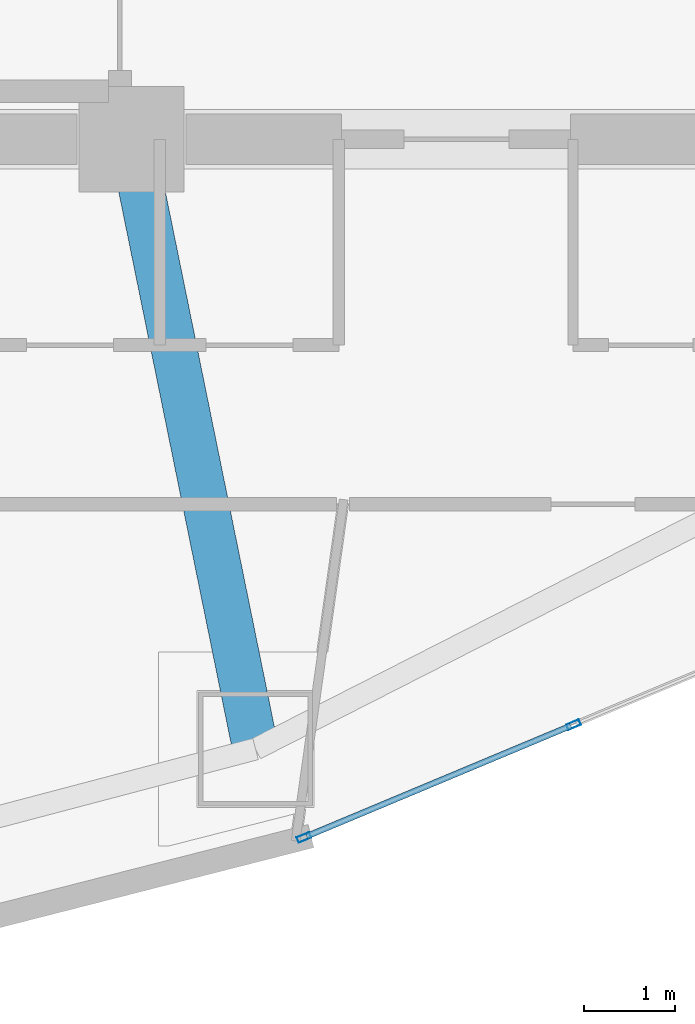
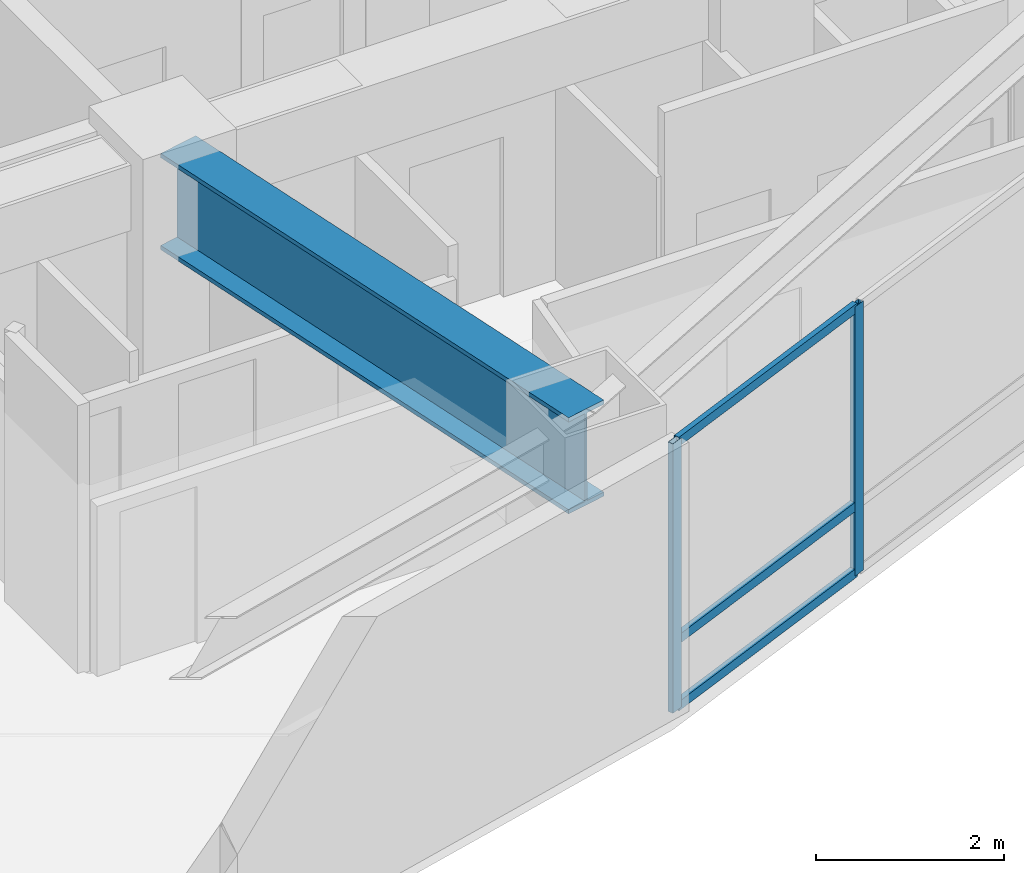
# One storey, part 2 of 17: 5 members, 1 beam, 1 element without a shape of its own.
"""IFC4 building model written with IfcOpenShell, lengths in metres."""

from ifc_helpers import new_model, si_unit, direction, frame, origin, origin_2d, place, context, subcontext, project, spatial, hollow_rectangle, i_section, extrude, material, layer, layer_set, material_profile, profile_set, type_object, element, aggregate, save


model = new_model("IFC4")

# Units and contexts
model_context = context("Model", 3, precision=1e-05, world=origin(), true_north=direction((0.0, 1.0)))
body_context = subcontext(model_context, "Body", "Model", "MODEL_VIEW")
ifc_project = project(units=[si_unit("LENGTHUNIT", "METRE"), si_unit("AREAUNIT", "SQUARE_METRE"), si_unit("VOLUMEUNIT", "CUBIC_METRE"), si_unit("PLANEANGLEUNIT", "RADIAN"), si_unit("MASSUNIT", "GRAM", prefix="KILO")], contexts=[model_context])

# Site, building, storey
site_placement = place(None, origin())
site = spatial("IfcSite", under=ifc_project, at=site_placement, CompositionType="ELEMENT")
building_placement = place(site_placement, origin())
building = spatial("IfcBuilding", under=site, at=building_placement, Name="Menara Vayukalpa", CompositionType="ELEMENT")
storey_placement = place(building_placement, frame((0.0, 0.0, 133.739990234375)))
storey = spatial("IfcBuildingStorey", under=building, at=storey_placement, Name="L33", CompositionType="ELEMENT", Elevation=133.739990234375)

# Beam
ifc_material_1 = material(Name="Steel S460", Category="steel")
ifc_material_profile_1 = material_profile(ifc_material_1, i_section(OverallWidth=0.5, OverallDepth=1.25, WebThickness=0.028076171875, FlangeThickness=0.054931640625, at=origin_2d()), Name="WG 1250x500x28x55")
ifc_profile_set_1 = profile_set([ifc_material_profile_1], Name="Steel S460")
beam_type = type_object("IfcBeamType", Name="BM-TG2", PredefinedType="BEAM", material=ifc_profile_set_1)
beam_placement = place(storey_placement, frame((22.099853515625, 16.955078125, 2.875), z_axis=(0.199617728418, -0.9798738503, 0.0), x_axis=(0.9798738503, 0.199617728418, 0.0)))
element("IfcBeam", 1, at=beam_placement, inside=storey, type_object=beam_type, Name="L33 Primary Radial Girder RG08", PredefinedType="BEAM", context=body_context, shape_type="SweptSolid", body=[
    extrude(i_section(OverallWidth=0.5, OverallDepth=1.25, WebThickness=0.028076171875, FlangeThickness=0.054931640625, at=origin_2d()), origin(), (0.0, 0.0, 1.0), 6.55419921875),
])

# Curtain wall, members
ifc_material_2 = material(Name="Anodised Terracotta Aluminium Alloy 6063-T6", Category="masonry")
ifc_layer = layer(ifc_material_2, 0.14990234375)
ifc_layer_set = layer_set([ifc_layer], Name="Anodised Terracotta Aluminium Alloy 6063-T6")
curtain_wall_type = type_object("IfcCurtainWallType", Name="CW-CW3", PredefinedType="USERDEFINED", material=ifc_layer_set)
curtain_wall_placement = place(storey_placement, origin())
curtain_wall = element("IfcCurtainWall", 2, at=curtain_wall_placement, inside=storey, type_object=curtain_wall_type, Name="L33 Mid Rise Terracotta Ribbon Curtain Wall CW3 16", ObjectType="UNITISED", PredefinedType="USERDEFINED")
ifc_material_3 = material(Name="Anodised Terracotta Aluminium Alloy 6063-T6", Category="masonry")
ifc_material_profile_2 = material_profile(ifc_material_3, hollow_rectangle(XDim=0.06494140625, YDim=0.14990234375, WallThickness=0.00341796875, at=origin_2d()), Name="ALU 65x150x3.5")
ifc_profile_set_2 = profile_set([ifc_material_profile_2], Name="Anodised Terracotta Aluminium Alloy 6063-T6")
member_type_1 = type_object("IfcMemberType", Name="CWM-CW3", PredefinedType="MULLION", material=ifc_profile_set_2)
member_1_placement = place(storey_placement, frame((23.9375, 9.56494140625, 0.0), z_axis=(0.0, 0.0, 1.0), x_axis=(-0.38589358437, 0.922543300632, 0.0)))
member_1 = element("IfcMember", 3, at=member_1_placement, type_object=member_type_1, Name="CW3 mullion 1", PredefinedType="MULLION", context=body_context, shape_type="SweptSolid", body=[
    extrude(hollow_rectangle(XDim=0.06494140625, YDim=0.14990234375, WallThickness=0.00341796875, at=origin_2d()), origin(), (0.0, 0.0, 1.0), 3.5),
])
member_2_placement = place(storey_placement, frame((26.88671875, 10.798583984375, 0.0), z_axis=(0.0, 0.0, 1.0), x_axis=(-0.38589358437, 0.922543300632, 0.0)))
member_2 = element("IfcMember", 4, at=member_2_placement, type_object=member_type_1, Name="CW3 mullion 2", PredefinedType="MULLION", context=body_context, shape_type="SweptSolid", body=[
    extrude(hollow_rectangle(XDim=0.06494140625, YDim=0.14990234375, WallThickness=0.00341796875, at=origin_2d()), origin(), (0.0, 0.0, 1.0), 3.5),
])
ifc_material_4 = material(Name="Anodised Terracotta Aluminium Alloy 6063-T6", Category="masonry")
ifc_material_profile_3 = material_profile(ifc_material_4, hollow_rectangle(XDim=0.06494140625, YDim=0.1201171875, WallThickness=0.00341796875, at=origin_2d()), Name="ALU 65x120x3.5")
ifc_profile_set_3 = profile_set([ifc_material_profile_3], Name="Anodised Terracotta Aluminium Alloy 6063-T6")
member_type_2 = type_object("IfcMemberType", Name="CWT-CW3", PredefinedType="USERDEFINED", material=ifc_profile_set_3)
member_3_placement = place(storey_placement, frame((23.96728515625, 9.577392578125, 0.032470703125), z_axis=(0.922529423765, 0.385926757673, 0.0), x_axis=(-0.385926757673, 0.922529423765, 0.0)))
member_3 = element("IfcMember", 5, at=member_3_placement, type_object=member_type_2, Name="CW3 transom 1.1", ObjectType="TRANSOM", PredefinedType="USERDEFINED", context=body_context, shape_type="SweptSolid", body=[
    extrude(hollow_rectangle(XDim=0.06494140625, YDim=0.1201171875, WallThickness=0.00341796875, at=origin_2d()), origin(), (0.0, 0.0, 1.0), 3.132080078125),
])
member_4_placement = place(storey_placement, frame((23.96728515625, 9.577392578125, 0.89990234375), z_axis=(0.922529423765, 0.385926757673, 0.0), x_axis=(-0.385926757673, 0.922529423765, 0.0)))
member_4 = element("IfcMember", 6, at=member_4_placement, type_object=member_type_2, Name="CW3 transom 1.2", ObjectType="TRANSOM", PredefinedType="USERDEFINED", context=body_context, shape_type="SweptSolid", body=[
    extrude(hollow_rectangle(XDim=0.06494140625, YDim=0.1201171875, WallThickness=0.00341796875, at=origin_2d()), origin(), (0.0, 0.0, 1.0), 3.132080078125),
])
member_5_placement = place(storey_placement, frame((23.96728515625, 9.577392578125, 3.467529296875), z_axis=(0.922529423765, 0.385926757673, 0.0), x_axis=(-0.385926757673, 0.922529423765, 0.0)))
member_5 = element("IfcMember", 7, at=member_5_placement, type_object=member_type_2, Name="CW3 transom 1.3", ObjectType="TRANSOM", PredefinedType="USERDEFINED", context=body_context, shape_type="SweptSolid", body=[
    extrude(hollow_rectangle(XDim=0.06494140625, YDim=0.1201171875, WallThickness=0.00341796875, at=origin_2d()), origin(), (0.0, 0.0, 1.0), 3.132080078125),
])
aggregate(curtain_wall, [member_1, member_2, member_3, member_4, member_5])

save(model, "model.ifc")
